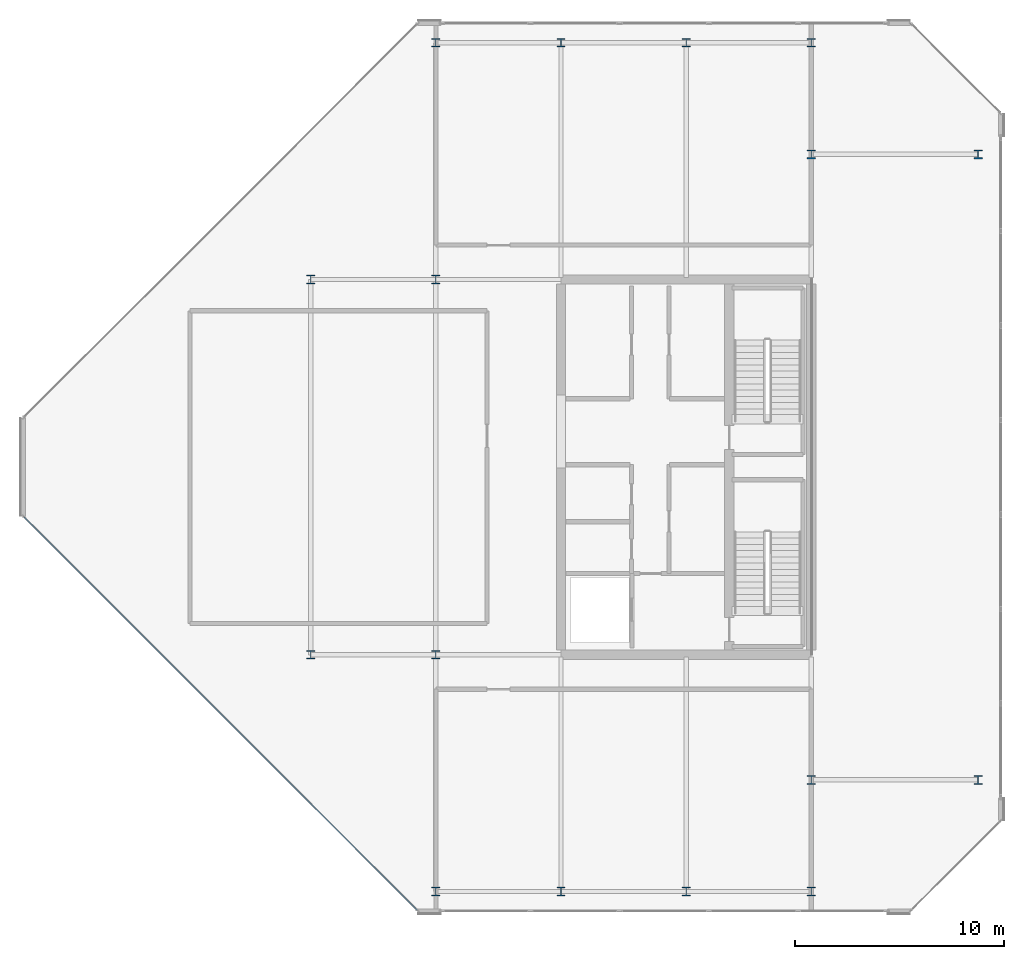
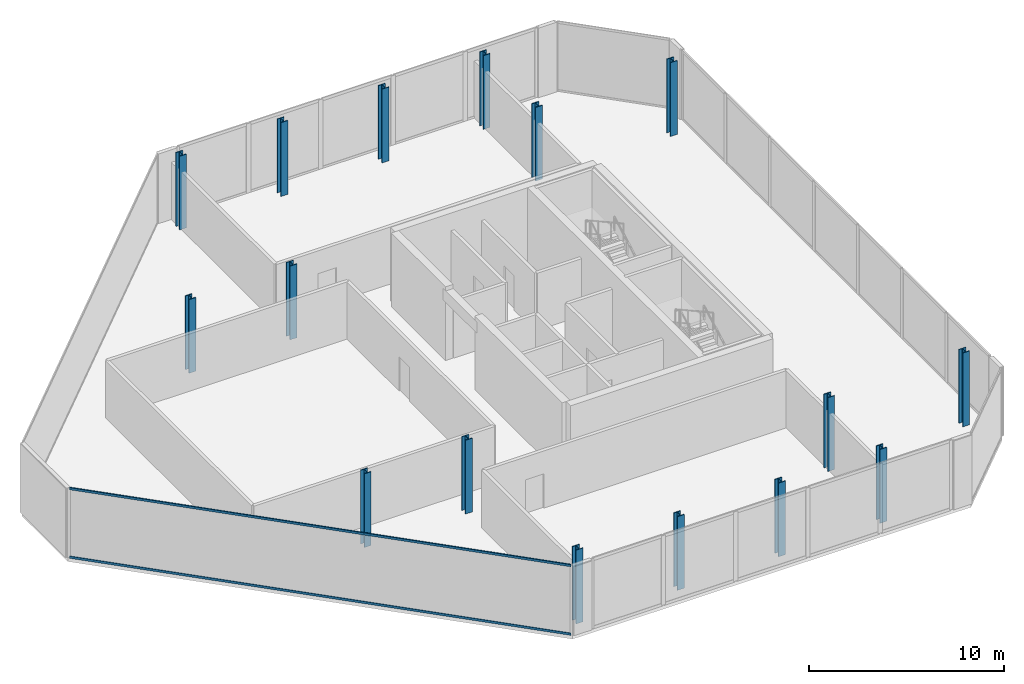
# One storey, part 1 of 16: 16 columns, 2 members, 1 element without a shape of its own.
"""IFC4 building model written with IfcOpenShell, lengths in metres."""

from ifc_helpers import new_model, si_unit, direction, frame, origin, origin_2d, place, context, subcontext, project, spatial, hollow_rectangle, i_section, extrude, material, layer, layer_set, material_profile, profile_set, type_object, element, aggregate, save


model = new_model("IFC4")

# Units and contexts
model_context = context("Model", 3, precision=1e-05, world=origin(), true_north=direction((0.0, 1.0)))
body_context = subcontext(model_context, "Body", "Model", "MODEL_VIEW")
ifc_project = project(units=[si_unit("LENGTHUNIT", "METRE"), si_unit("AREAUNIT", "SQUARE_METRE"), si_unit("VOLUMEUNIT", "CUBIC_METRE"), si_unit("PLANEANGLEUNIT", "RADIAN"), si_unit("MASSUNIT", "GRAM", prefix="KILO")], contexts=[model_context])

# Site, building, storey
site_placement = place(None, origin())
site = spatial("IfcSite", under=ifc_project, at=site_placement, CompositionType="ELEMENT")
building_placement = place(site_placement, origin())
building = spatial("IfcBuilding", under=site, at=building_placement, Name="Tanjung Sevakor Pilgrim Tower", CompositionType="ELEMENT")
storey_placement = place(building_placement, frame((0.0, 0.0, 283.139892578125)))
storey = spatial("IfcBuildingStorey", under=building, at=storey_placement, Name="L79", CompositionType="ELEMENT", Elevation=283.139892578125)

# Columns
ifc_material_1 = material(Name="Steel S460M", Category="steel")
ifc_material_profile_1 = material_profile(ifc_material_1, i_section(OverallWidth=0.406982421875, OverallDepth=0.4189453125, WebThickness=0.030517578125, FlangeThickness=0.04931640625, FilletRadius=0.01513671875, at=origin_2d()))
ifc_profile_set_1 = profile_set([ifc_material_profile_1], Name="Steel S460M")
column_type = type_object("IfcColumnType", Name="COL-C-S393-UC_356x406x393", PredefinedType="COLUMN", material=ifc_profile_set_1)
for number, where, z_axis, x_axis, name in (
    (1, (66.0, 24.60009765625, 0.0), (0.0, 0.0, 1.0), (1.0, 0.0, 0.0), "L79 Column SPE-066-246"),
    (2, (66.0, 42.60009765625, 0.0), (0.0, 0.0, 1.0), (1.0, 0.0, 0.0), "L79 Column SPE-066-426"),
    (3, (72.0, 24.60009765625, 0.0), (0.0, 0.0, 1.0), (1.0, 0.0, 0.0), "L79 Column SPE-072-246"),
    (4, (72.0, 42.60009765625, 0.0), (0.0, 0.0, 1.0), (1.0, 0.0, 0.0), "L79 Column SPE-072-426"),
    (5, (90.0, 18.60009765625, 0.0), (0.0, 0.0, 1.0), (1.0, 0.0, 0.0), "L79 Column TCE-0900-186"),
    (6, (90.0, 48.60009765625, 0.0), (0.0, 0.0, 1.0), (1.0, 0.0, 0.0), "L79 Column TCE-0900-486"),
    (7, (98.0, 18.60009765625, 0.0), (0.0, 0.0, 1.0), (1.0, 0.0, 0.0), "L79 Column TCE-0980-186"),
    (8, (98.0, 48.60009765625, 0.0), (0.0, 0.0, 1.0), (1.0, 0.0, 0.0), "L79 Column TCE-0980-486"),
    (9, (72.0, 13.25, 0.0), (0.0, 0.0, 1.0), (1.0, 0.0, 0.0), "L79 Column TC4-072-132"),
    (10, (72.0, 53.949951171875, 0.0), (0.0, 0.0, 1.0), (1.0, 0.0, 0.0), "L79 Column TC4-072-540"),
    (11, (78.0, 13.25, 0.0), (0.0, 0.0, 1.0), (1.0, 0.0, 0.0), "L79 Column TC4-078-132"),
    (12, (78.0, 53.949951171875, 0.0), (0.0, 0.0, 1.0), (1.0, 0.0, 0.0), "L79 Column TC4-078-540"),
    (13, (84.0, 13.25, 0.0), (0.0, 0.0, 1.0), (1.0, 0.0, 0.0), "L79 Column TC4-084-132"),
    (14, (84.0, 53.949951171875, 0.0), (0.0, 0.0, 1.0), (1.0, 0.0, 0.0), "L79 Column TC4-084-540"),
    (15, (90.0, 13.25, 0.0), (0.0, 0.0, 1.0), (1.0, 0.0, 0.0), "L79 Column TC4-090-132"),
    (16, (90.0, 53.949951171875, 0.0), (0.0, 0.0, 1.0), (1.0, 0.0, 0.0), "L79 Column TC4-090-540"),
):
    element("IfcColumn", number, at=place(storey_placement, frame(where, z_axis=z_axis, x_axis=x_axis)), inside=storey, type_object=column_type, Name=name, PredefinedType="COLUMN", context=body_context, shape_type="SweptSolid", body=[
        extrude(i_section(OverallWidth=0.406982421875, OverallDepth=0.4189453125, WebThickness=0.030517578125, FlangeThickness=0.04931640625, FilletRadius=0.01513671875, at=origin_2d()), origin(), (0.0, 0.0, 1.0), 4.6201171875),
    ])

# Curtain wall, members
ifc_material_2 = material(Name="Aluminium 6063-T6 and Low-E Glass", Category="aluminium")
ifc_layer = layer(ifc_material_2, 0.179931640625)
ifc_layer_set = layer_set([ifc_layer], Name="CW-SYS-CHAM")
curtain_wall_type = type_object("IfcCurtainWallType", Name="CW-SYS-CHAM", PredefinedType="NOTDEFINED", material=ifc_layer_set)
curtain_wall_placement = place(storey_placement, origin())
curtain_wall = element("IfcCurtainWall", 17, at=curtain_wall_placement, inside=storey, type_object=curtain_wall_type, Name="L79 Curtain Wall CW-CHM-L79-EAST-7", PredefinedType="NOTDEFINED")
ifc_material_3 = material(Name="Aluminium 6063-T6", Category="aluminium")
ifc_material_profile_2 = material_profile(ifc_material_3, hollow_rectangle(XDim=0.06494140625, YDim=0.139892578125, WallThickness=0.00390625, at=origin_2d()))
ifc_profile_set_2 = profile_set([ifc_material_profile_2], Name="Aluminium 6063-T6")
member_type = type_object("IfcMemberType", Name="TYPE-CWT-1", PredefinedType="USERDEFINED", material=ifc_profile_set_2)
member_1_placement = place(storey_placement, frame((52.255859375, 31.19970703125, 0.03271484375), z_axis=(0.707106781187, -0.707106781187, 0.0), x_axis=(0.707106781187, 0.707106781187, 0.0)))
member_1 = element("IfcMember", 18, at=member_1_placement, type_object=member_type, Name="CW-CHM transom 1.1", ObjectType="TRANSOM", PredefinedType="USERDEFINED", context=body_context, shape_type="SweptSolid", body=[
    extrude(hollow_rectangle(XDim=0.06494140625, YDim=0.139892578125, WallThickness=0.00390625, at=origin_2d()), origin(), (0.0, 0.0, 1.0), 26.649169921875),
])
member_2_placement = place(storey_placement, frame((52.255859375, 31.19970703125, 4.32763671875), z_axis=(0.707106781187, -0.707106781187, 0.0), x_axis=(0.707106781187, 0.707106781187, 0.0)))
member_2 = element("IfcMember", 19, at=member_2_placement, type_object=member_type, Name="CW-CHM transom 1.2", ObjectType="TRANSOM", PredefinedType="USERDEFINED", context=body_context, shape_type="SweptSolid", body=[
    extrude(hollow_rectangle(XDim=0.06494140625, YDim=0.139892578125, WallThickness=0.00390625, at=origin_2d()), origin(), (0.0, 0.0, 1.0), 26.649169921875),
])
aggregate(curtain_wall, [member_1, member_2])

save(model, "model.ifc")
